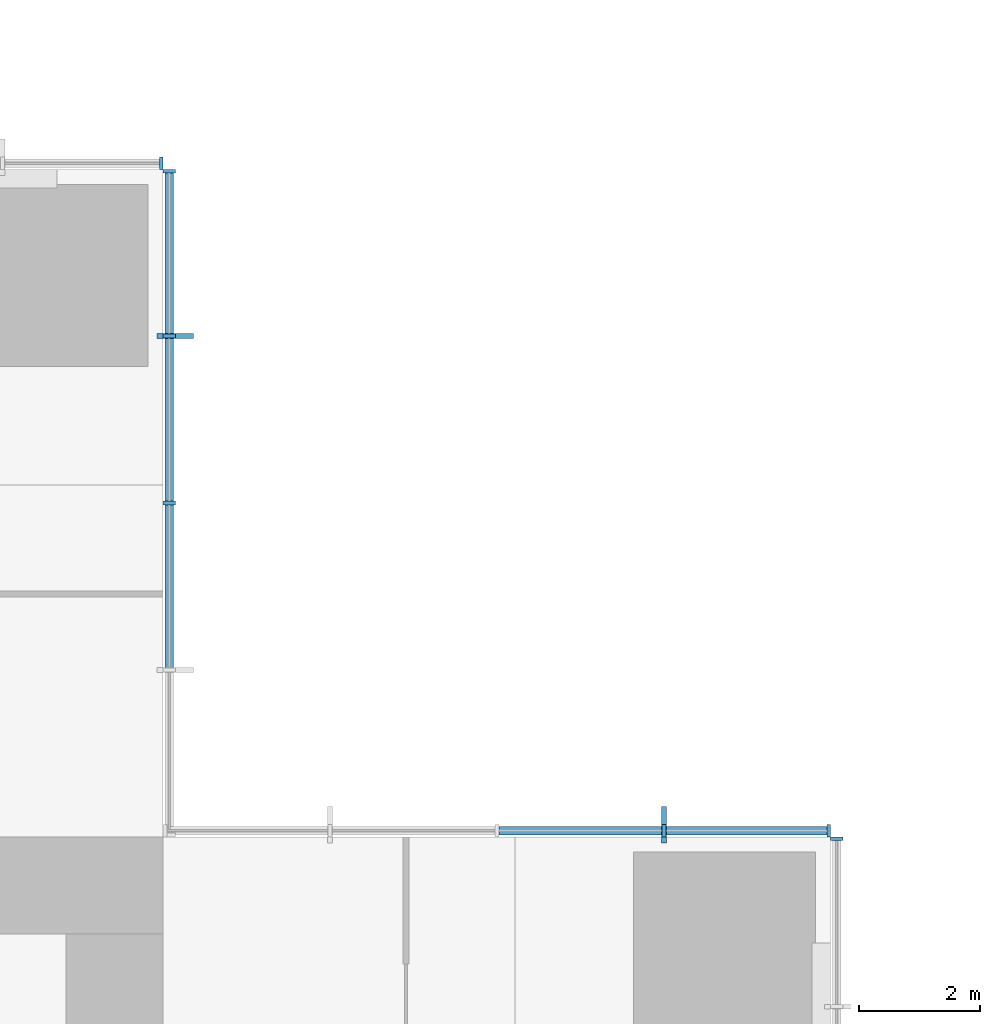
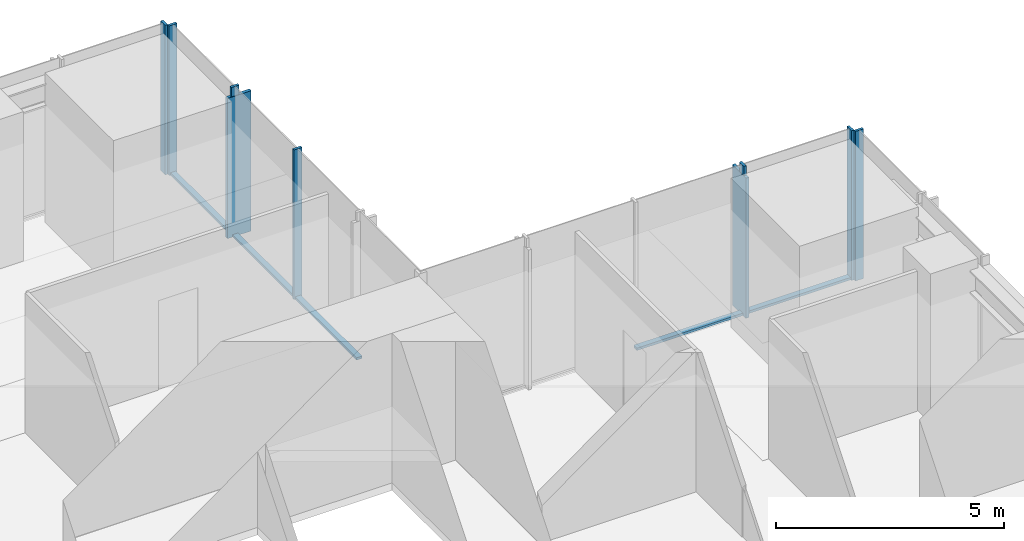
# One storey, part 6 of 13: 14 members, 4 elements without a shape of their own.
"""IFC4 building model written with IfcOpenShell, lengths in metres."""

from ifc_helpers import new_model, si_unit, direction, frame, origin, origin_2d, place, context, subcontext, project, spatial, rectangle, extrude, material, material_profile, profile_set, type_object, element, aggregate, save


model = new_model("IFC4")

# Units and contexts
model_context = context("Model", 3, precision=1e-05, world=origin(), true_north=direction((0.0, 1.0)))
body_context = subcontext(model_context, "Body", "Model", "MODEL_VIEW")
ifc_project = project(units=[si_unit("LENGTHUNIT", "METRE"), si_unit("AREAUNIT", "SQUARE_METRE"), si_unit("VOLUMEUNIT", "CUBIC_METRE"), si_unit("PLANEANGLEUNIT", "RADIAN"), si_unit("MASSUNIT", "GRAM", prefix="KILO")], contexts=[model_context])

# Site, building, storey
site_placement = place(None, origin())
site = spatial("IfcSite", under=ifc_project, at=site_placement, CompositionType="ELEMENT")
building_placement = place(site_placement, origin())
building = spatial("IfcBuilding", under=site, at=building_placement, Name="Svetlomir Tower", CompositionType="ELEMENT")
storey_placement = place(building_placement, frame((0.0, 0.0, 116.5)))
storey = spatial("IfcBuildingStorey", under=building, at=storey_placement, Name="L27", CompositionType="ELEMENT", Elevation=116.5)

# Curtain wall, member
ifc_material_1 = material(Name="Bronze anodised aluminium curtain wall", Category="aluminium")
curtain_wall_type = type_object("IfcCurtainWallType", Name="CURTAIN WALL CW1 TOWER OFFICE", PredefinedType="NOTDEFINED", material=ifc_material_1)
curtain_wall_1_placement = place(storey_placement, origin())
curtain_wall_1 = element("IfcCurtainWall", 1, at=curtain_wall_1_placement, inside=storey, type_object=curtain_wall_type, Name="Curtain wall CW1 L27", PredefinedType="NOTDEFINED")
ifc_material_2 = material(Name="Bronze anodised aluminium", Category="aluminium")
ifc_material_profile_1 = material_profile(ifc_material_2, rectangle(XDim=0.080078125, YDim=0.60009765625, at=origin_2d()), Name="FIN 80x600")
ifc_profile_set_1 = profile_set([ifc_material_profile_1], Name="Bronze anodised aluminium 6063-T6")
member_type_1 = type_object("IfcMemberType", Name="BRONZE FIN 80x600", PredefinedType="USERDEFINED", material=ifc_profile_set_1)
member_1_placement = place(storey_placement, frame((39.25, 31.199951171875, 0.0), z_axis=(0.0, 0.0, 1.0), x_axis=(1.0, 0.0, 0.0)))
member_1 = element("IfcMember", 2, at=member_1_placement, type_object=member_type_1, Name="Bronze fin L27", ObjectType="FIN", PredefinedType="USERDEFINED", context=body_context, shape_type="SweptSolid", body=[
    extrude(rectangle(XDim=0.080078125, YDim=0.60009765625, at=origin_2d()), origin(), (0.0, 0.0, 1.0), 3.75),
])

curtain_wall_2_placement = place(storey_placement, origin())
curtain_wall_2 = element("IfcCurtainWall", 3, at=curtain_wall_2_placement, inside=storey, type_object=curtain_wall_type, Name="Curtain wall CW1 L27", PredefinedType="NOTDEFINED")
member_2_placement = place(storey_placement, frame((31.199951171875, 39.25, 0.0), z_axis=(0.0, 0.0, 1.0), x_axis=(0.0, 1.0, 0.0)))
member_2 = element("IfcMember", 4, at=member_2_placement, type_object=member_type_1, Name="Bronze fin L27", ObjectType="FIN", PredefinedType="USERDEFINED", context=body_context, shape_type="SweptSolid", body=[
    extrude(rectangle(XDim=0.080078125, YDim=0.60009765625, at=origin_2d()), origin(), (0.0, 0.0, 1.0), 3.75),
])

curtain_wall_3_placement = place(storey_placement, origin())
curtain_wall_3 = element("IfcCurtainWall", 5, at=curtain_wall_3_placement, inside=storey, type_object=curtain_wall_type, Name="Curtain wall CW1 L27", PredefinedType="NOTDEFINED")
ifc_material_3 = material(Name="Bronze anodised aluminium", Category="aluminium")
ifc_material_profile_2 = material_profile(ifc_material_3, rectangle(XDim=0.06494140625, YDim=0.199951171875, at=origin_2d()), Name="AL 65x200")
ifc_profile_set_2 = profile_set([ifc_material_profile_2], Name="Bronze anodised aluminium 6063-T6")
member_type_2 = type_object("IfcMemberType", Name="CW1 MULLION 65x200", PredefinedType="MULLION", material=ifc_profile_set_2)
member_3_placement = place(storey_placement, frame((42.10009765625, 30.967529296875, 0.0), z_axis=(0.0, 0.0, 1.0), x_axis=(0.0, 1.0, 0.0)))
member_3 = element("IfcMember", 6, at=member_3_placement, type_object=member_type_2, Name="CW1 mullion 3", PredefinedType="MULLION", context=body_context, shape_type="SweptSolid", body=[
    extrude(rectangle(XDim=0.06494140625, YDim=0.199951171875, at=origin_2d()), origin(), (0.0, 0.0, 1.0), 4.0),
])
aggregate(curtain_wall_3, [member_3])

# Member
member_4_placement = place(storey_placement, frame((41.967529296875, 31.10009765625, 0.0), z_axis=(0.0, 0.0, 1.0), x_axis=(-1.0, 0.0, 0.0)))
member_4 = element("IfcMember", 7, at=member_4_placement, type_object=member_type_2, Name="CW1 mullion 1", PredefinedType="MULLION", context=body_context, shape_type="SweptSolid", body=[
    extrude(rectangle(XDim=0.06494140625, YDim=0.199951171875, at=origin_2d()), origin(), (0.0, 0.0, 1.0), 4.0),
])

member_5_placement = place(storey_placement, frame((39.25, 31.10009765625, 0.0), z_axis=(0.0, 0.0, 1.0), x_axis=(-1.0, 0.0, 0.0)))
member_5 = element("IfcMember", 8, at=member_5_placement, type_object=member_type_2, Name="CW1 mullion 2", PredefinedType="MULLION", context=body_context, shape_type="SweptSolid", body=[
    extrude(rectangle(XDim=0.06494140625, YDim=0.199951171875, at=origin_2d()), origin(), (0.0, 0.0, 1.0), 4.0),
])

member_6_placement = place(storey_placement, frame((31.10009765625, 36.5, 0.0), z_axis=(0.0, 0.0, 1.0), x_axis=(0.0, 1.0, 0.0)))
member_6 = element("IfcMember", 9, at=member_6_placement, type_object=member_type_2, Name="CW1 mullion 3", PredefinedType="MULLION", context=body_context, shape_type="SweptSolid", body=[
    extrude(rectangle(XDim=0.06494140625, YDim=0.199951171875, at=origin_2d()), origin(), (0.0, 0.0, 1.0), 4.0),
])

member_7_placement = place(storey_placement, frame((31.10009765625, 39.25, 0.0), z_axis=(0.0, 0.0, 1.0), x_axis=(0.0, 1.0, 0.0)))
member_7 = element("IfcMember", 10, at=member_7_placement, type_object=member_type_2, Name="CW1 mullion 4", PredefinedType="MULLION", context=body_context, shape_type="SweptSolid", body=[
    extrude(rectangle(XDim=0.06494140625, YDim=0.199951171875, at=origin_2d()), origin(), (0.0, 0.0, 1.0), 4.0),
])

member_8_placement = place(storey_placement, frame((31.10009765625, 41.967529296875, 0.0), z_axis=(0.0, 0.0, 1.0), x_axis=(0.0, 1.0, 0.0)))
member_8 = element("IfcMember", 11, at=member_8_placement, type_object=member_type_2, Name="CW1 mullion 5", PredefinedType="MULLION", context=body_context, shape_type="SweptSolid", body=[
    extrude(rectangle(XDim=0.06494140625, YDim=0.199951171875, at=origin_2d()), origin(), (0.0, 0.0, 1.0), 4.0),
])

# Curtain wall, member
curtain_wall_4_placement = place(storey_placement, origin())
curtain_wall_4 = element("IfcCurtainWall", 12, at=curtain_wall_4_placement, inside=storey, type_object=curtain_wall_type, Name="Curtain wall CW1 L27", PredefinedType="NOTDEFINED")
member_9_placement = place(storey_placement, frame((30.967529296875, 42.10009765625, 0.0), z_axis=(0.0, 0.0, 1.0), x_axis=(-1.0, 0.0, 0.0)))
member_9 = element("IfcMember", 13, at=member_9_placement, type_object=member_type_2, Name="CW1 mullion 1", PredefinedType="MULLION", context=body_context, shape_type="SweptSolid", body=[
    extrude(rectangle(XDim=0.06494140625, YDim=0.199951171875, at=origin_2d()), origin(), (0.0, 0.0, 1.0), 4.0),
])
aggregate(curtain_wall_4, [member_9])

# Member
ifc_material_4 = material(Name="Bronze anodised aluminium", Category="aluminium")
ifc_material_profile_3 = material_profile(ifc_material_4, rectangle(XDim=0.139892578125, YDim=0.06494140625, at=origin_2d()), Name="AL 140x65")
ifc_profile_set_3 = profile_set([ifc_material_profile_3], Name="Bronze anodised aluminium 6063-T6")
member_type_3 = type_object("IfcMemberType", Name="CW1 TRANSOM 65x140", PredefinedType="USERDEFINED", material=ifc_profile_set_3)
member_10_placement = place(storey_placement, frame((41.93505859375, 31.10009765625, 0.032470703125), z_axis=(-1.0, 0.0, 0.0), x_axis=(0.0, -1.0, 0.0)))
member_10 = element("IfcMember", 14, at=member_10_placement, type_object=member_type_3, Name="CW1 transom 1.1", ObjectType="TRANSOM", PredefinedType="USERDEFINED", context=body_context, shape_type="SweptSolid", body=[
    extrude(rectangle(XDim=0.139892578125, YDim=0.06494140625, at=origin_2d()), origin(), (0.0, 0.0, 1.0), 2.652587890625),
])

member_11_placement = place(storey_placement, frame((39.217529296875, 31.10009765625, 0.032470703125), z_axis=(-1.0, 0.0, 0.0), x_axis=(0.0, -1.0, 0.0)))
member_11 = element("IfcMember", 15, at=member_11_placement, type_object=member_type_3, Name="CW1 transom 2.1", ObjectType="TRANSOM", PredefinedType="USERDEFINED", context=body_context, shape_type="SweptSolid", body=[
    extrude(rectangle(XDim=0.139892578125, YDim=0.06494140625, at=origin_2d()), origin(), (0.0, 0.0, 1.0), 2.68505859375),
])

aggregate(curtain_wall_1, [member_4, member_5, member_10, member_11, member_1])

member_12_placement = place(storey_placement, frame((31.10009765625, 33.782470703125, 0.032470703125), z_axis=(0.0, 1.0, 0.0), x_axis=(-1.0, 0.0, 0.0)))
member_12 = element("IfcMember", 16, at=member_12_placement, type_object=member_type_3, Name="CW1 transom 2.1", ObjectType="TRANSOM", PredefinedType="USERDEFINED", context=body_context, shape_type="SweptSolid", body=[
    extrude(rectangle(XDim=0.139892578125, YDim=0.06494140625, at=origin_2d()), origin(), (0.0, 0.0, 1.0), 2.68505859375),
])

member_13_placement = place(storey_placement, frame((31.10009765625, 36.532470703125, 0.032470703125), z_axis=(0.0, 1.0, 0.0), x_axis=(-1.0, 0.0, 0.0)))
member_13 = element("IfcMember", 17, at=member_13_placement, type_object=member_type_3, Name="CW1 transom 3.1", ObjectType="TRANSOM", PredefinedType="USERDEFINED", context=body_context, shape_type="SweptSolid", body=[
    extrude(rectangle(XDim=0.139892578125, YDim=0.06494140625, at=origin_2d()), origin(), (0.0, 0.0, 1.0), 2.68505859375),
])

member_14_placement = place(storey_placement, frame((31.10009765625, 39.282470703125, 0.032470703125), z_axis=(0.0, 1.0, 0.0), x_axis=(-1.0, 0.0, 0.0)))
member_14 = element("IfcMember", 18, at=member_14_placement, type_object=member_type_3, Name="CW1 transom 4.1", ObjectType="TRANSOM", PredefinedType="USERDEFINED", context=body_context, shape_type="SweptSolid", body=[
    extrude(rectangle(XDim=0.139892578125, YDim=0.06494140625, at=origin_2d()), origin(), (0.0, 0.0, 1.0), 2.652587890625),
])

aggregate(curtain_wall_2, [member_6, member_7, member_8, member_12, member_13, member_14, member_2])

save(model, "model.ifc")
